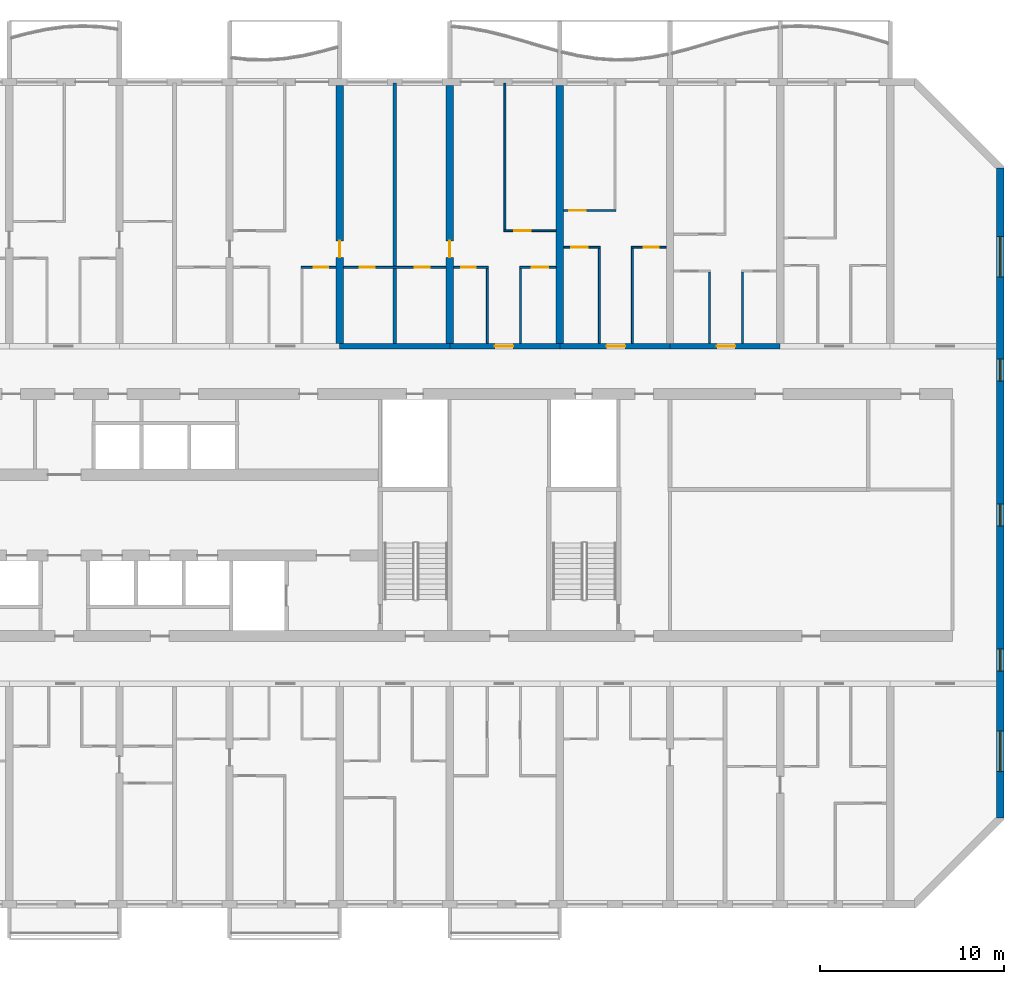
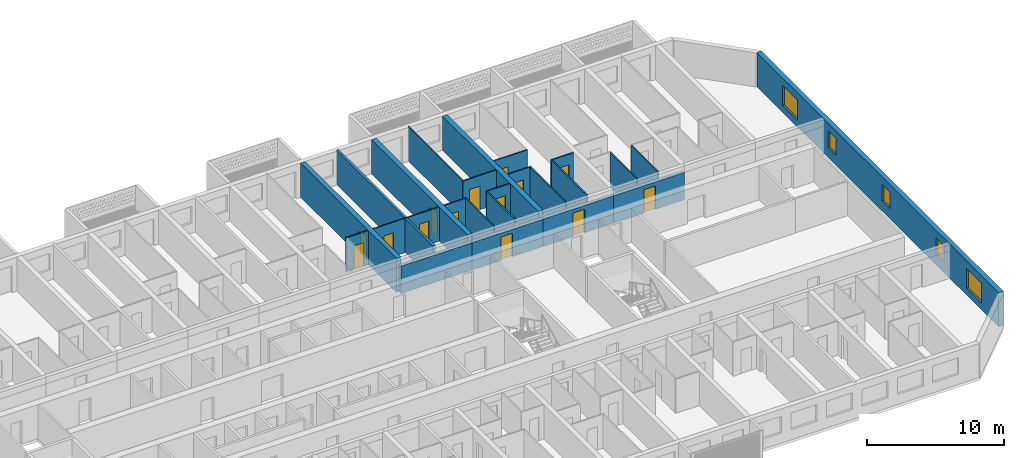
# One storey, part 16 of 40: 24 walls, 14 doors, 5 windows, 19 openings.
"""IFC4 building model written with IfcOpenShell, lengths in metres."""

from ifc_helpers import new_model, si_unit, direction, frame, frame_2d, origin, place, context, subcontext, project, spatial, rectangle, extrude, material, layer, layer_set, type_object, element, fill, save


model = new_model("IFC4")

# Units and contexts
model_context = context("Model", 3, precision=1e-05, world=origin(), true_north=direction((0.0, 1.0)))
body_context = subcontext(model_context, "Body", "Model", "MODEL_VIEW")
ifc_project = project(units=[si_unit("LENGTHUNIT", "METRE"), si_unit("AREAUNIT", "SQUARE_METRE"), si_unit("VOLUMEUNIT", "CUBIC_METRE"), si_unit("PLANEANGLEUNIT", "RADIAN"), si_unit("MASSUNIT", "GRAM", prefix="KILO")], contexts=[model_context])

# Site, building, storey
site_placement = place(None, origin())
site = spatial("IfcSite", under=ifc_project, at=site_placement, CompositionType="ELEMENT")
building_placement = place(site_placement, origin())
building = spatial("IfcBuilding", under=site, at=building_placement, Name="Poui Terraces", CompositionType="ELEMENT")
storey_placement = place(building_placement, frame((0.0, 0.0, 33.300048828125)))
storey = spatial("IfcBuildingStorey", under=building, at=storey_placement, Name="L08", CompositionType="ELEMENT", Elevation=33.300048828125)

# Wall
ifc_material_1 = material(Name="Concrete 80 MPa", Category="concrete")
ifc_layer_1 = layer(ifc_material_1, 0.300048828125)
ifc_layer_set_1 = layer_set([ifc_layer_1], Name="Concrete 80 MPa")
wall_type_1 = type_object("IfcWallType", Name="CORRIDOR WALL 300 80MPa", PredefinedType="SHEAR", material=ifc_layer_set_1)
wall_1_placement = place(storey_placement, frame((66.0, 30.39990234375, 0.0), z_axis=(0.0, 0.0, 1.0), x_axis=(1.0, 0.0, 0.0)))
element("IfcWall", 1, at=wall_1_placement, inside=storey, type_object=wall_type_1, Name="CORRIDOR WALL LINE E BAY 12", PredefinedType="SHEAR", context=body_context, shape_type="SweptSolid", body=[
    extrude(rectangle(XDim=6.0, YDim=0.300048828125, at=frame_2d((3.0, 0.0))), origin(), (0.0, 0.0, 1.0), 2.449951171875),
])

# Wall, opening, door
wall_2_placement = place(storey_placement, frame((72.0, 30.39990234375, 0.0), z_axis=(0.0, 0.0, 1.0), x_axis=(1.0, 0.0, 0.0)))
wall_2 = element("IfcWall", 2, at=wall_2_placement, inside=storey, type_object=wall_type_1, Name="CORRIDOR WALL LINE E BAY 13", PredefinedType="SHEAR", context=body_context, shape_type="SweptSolid", body=[
    extrude(rectangle(XDim=6.0, YDim=0.300048828125, at=frame_2d((3.0, 0.0))), origin(), (0.0, 0.0, 1.0), 2.449951171875),
])
opening_1_placement = place(wall_2_placement, frame((2.449951171875, 0.0, 0.0)))
opening_1 = element("IfcOpeningElement", 3, at=opening_1_placement, cuts=wall_2, Name="Opening FD30S", PredefinedType="OPENING", context=body_context, shape_type="SweptSolid", body=[
    extrude(rectangle(XDim=1.0, YDim=2.10009765625, at=frame_2d((0.5, 1.050048828125))), frame((0.0, 0.16015625, 0.0), z_axis=(0.0, -1.0, 0.0), x_axis=(1.0, 0.0, 0.0)), (0.0, 0.0, 1.0), 0.320068359375),
])
ifc_material_2 = material(Name="Steel fire door", Category="steel")
door_type_1 = type_object("IfcDoorType", Name="FLAT ENTRANCE DOOR 1000 X 2100", OperationType="NOTDEFINED", PredefinedType="DOOR", material=ifc_material_2)
door_1_placement = place(opening_1_placement, origin())
door_1 = element("IfcDoor", 4, at=door_1_placement, inside=storey, type_object=door_type_1, Name="FLAT ENTRANCE DOOR 074", OperationType="SINGLE_SWING_LEFT", OverallHeight=2.10009765625, OverallWidth=1.0, PredefinedType="DOOR", context=body_context, shape_type="SweptSolid", body=[
    extrude(rectangle(XDim=1.0, YDim=2.10009765625, at=frame_2d((0.5, 1.050048828125))), frame((0.0, 0.02490234375, 0.0), z_axis=(0.0, -1.0, 0.0), x_axis=(1.0, 0.0, 0.0)), (0.0, 0.0, 1.0), 0.050048828125),
])
fill(opening_1, door_1)

wall_3_placement = place(storey_placement, frame((78.0, 30.39990234375, 0.0), z_axis=(0.0, 0.0, 1.0), x_axis=(1.0, 0.0, 0.0)))
wall_3 = element("IfcWall", 5, at=wall_3_placement, inside=storey, type_object=wall_type_1, Name="CORRIDOR WALL LINE E BAY 14", PredefinedType="SHEAR", context=body_context, shape_type="SweptSolid", body=[
    extrude(rectangle(XDim=6.0, YDim=0.300048828125, at=frame_2d((3.0, 0.0))), origin(), (0.0, 0.0, 1.0), 2.449951171875),
])
opening_2_placement = place(wall_3_placement, frame((2.550048828125, 0.0, 0.0)))
opening_2 = element("IfcOpeningElement", 6, at=opening_2_placement, cuts=wall_3, Name="Opening FD30S", PredefinedType="OPENING", context=body_context, shape_type="SweptSolid", body=[
    extrude(rectangle(XDim=1.0, YDim=2.10009765625, at=frame_2d((0.5, 1.050048828125))), frame((0.0, 0.16015625, 0.0), z_axis=(0.0, -1.0, 0.0), x_axis=(1.0, 0.0, 0.0)), (0.0, 0.0, 1.0), 0.320068359375),
])
door_2_placement = place(opening_2_placement, origin())
door_2 = element("IfcDoor", 7, at=door_2_placement, inside=storey, type_object=door_type_1, Name="FLAT ENTRANCE DOOR 079", OperationType="SINGLE_SWING_RIGHT", OverallHeight=2.10009765625, OverallWidth=1.0, PredefinedType="DOOR", context=body_context, shape_type="SweptSolid", body=[
    extrude(rectangle(XDim=1.0, YDim=2.10009765625, at=frame_2d((0.5, 1.050048828125))), frame((0.0, 0.02490234375, 0.0), z_axis=(0.0, -1.0, 0.0), x_axis=(1.0, 0.0, 0.0)), (0.0, 0.0, 1.0), 0.050048828125),
])
fill(opening_2, door_2)

wall_4_placement = place(storey_placement, frame((84.0, 30.39990234375, 0.0), z_axis=(0.0, 0.0, 1.0), x_axis=(1.0, 0.0, 0.0)))
wall_4 = element("IfcWall", 8, at=wall_4_placement, inside=storey, type_object=wall_type_1, Name="CORRIDOR WALL LINE E BAY 15", PredefinedType="SHEAR", context=body_context, shape_type="SweptSolid", body=[
    extrude(rectangle(XDim=6.0, YDim=0.300048828125, at=frame_2d((3.0, 0.0))), origin(), (0.0, 0.0, 1.0), 2.449951171875),
])
opening_3_placement = place(wall_4_placement, frame((2.550048828125, 0.0, 0.0)))
opening_3 = element("IfcOpeningElement", 9, at=opening_3_placement, cuts=wall_4, Name="Opening FD30S", PredefinedType="OPENING", context=body_context, shape_type="SweptSolid", body=[
    extrude(rectangle(XDim=1.0, YDim=2.10009765625, at=frame_2d((0.5, 1.050048828125))), frame((0.0, 0.16015625, 0.0), z_axis=(0.0, -1.0, 0.0), x_axis=(1.0, 0.0, 0.0)), (0.0, 0.0, 1.0), 0.320068359375),
])
door_3_placement = place(opening_3_placement, origin())
door_3 = element("IfcDoor", 10, at=door_3_placement, inside=storey, type_object=door_type_1, Name="FLAT ENTRANCE DOOR 083", OperationType="SINGLE_SWING_RIGHT", OverallHeight=2.10009765625, OverallWidth=1.0, PredefinedType="DOOR", context=body_context, shape_type="SweptSolid", body=[
    extrude(rectangle(XDim=1.0, YDim=2.10009765625, at=frame_2d((0.5, 1.050048828125))), frame((0.0, 0.02490234375, 0.0), z_axis=(0.0, -1.0, 0.0), x_axis=(1.0, 0.0, 0.0)), (0.0, 0.0, 1.0), 0.050048828125),
])
fill(opening_3, door_3)

ifc_layer_2 = layer(ifc_material_1, 0.39990234375)
ifc_layer_set_2 = layer_set([ifc_layer_2], Name="Concrete 80 MPa")
wall_type_2 = type_object("IfcWallType", Name="CROSS WALL 400 80MPa", PredefinedType="SHEAR", material=ifc_layer_set_2)
wall_5_placement = place(storey_placement, frame((66.0, 30.550048828125, 0.0), z_axis=(0.0, 0.0, 1.0), x_axis=(0.0, 1.0, 0.0)))
wall_5 = element("IfcWall", 11, at=wall_5_placement, inside=storey, type_object=wall_type_2, Name="CROSS WALL LINE 12 NORTH", PredefinedType="SHEAR", context=body_context, shape_type="SweptSolid", body=[
    extrude(rectangle(XDim=14.050048828125, YDim=0.39990234375, at=frame_2d((7.02490234375, 0.0))), origin(), (0.0, 0.0, 1.0), 3.050048828125),
])
opening_4_placement = place(wall_5_placement, frame((4.699951171875, 0.0, 0.0)))
opening_4 = element("IfcOpeningElement", 12, at=opening_4_placement, cuts=wall_5, Name="Opening D90", PredefinedType="OPENING", context=body_context, shape_type="SweptSolid", body=[
    extrude(rectangle(XDim=0.89990234375, YDim=2.10009765625, at=frame_2d((0.449951171875, 1.050048828125))), frame((0.0, 0.2099609375, 0.0), z_axis=(0.0, -1.0, 0.0), x_axis=(1.0, 0.0, 0.0)), (0.0, 0.0, 1.0), 0.419921875),
])
ifc_material_3 = material(Name="Solid core timber door", Category="wood")
door_type_2 = type_object("IfcDoorType", Name="INTERNAL DOOR 900 X 2100", OperationType="NOTDEFINED", PredefinedType="DOOR", material=ifc_material_3)
door_4_placement = place(opening_4_placement, frame((0.89990234375, 0.0, 0.0), z_axis=(0.0, 0.0, 1.0), x_axis=(-1.0, 0.0, 0.0)))
door_4 = element("IfcDoor", 13, at=door_4_placement, inside=storey, type_object=door_type_2, Name="INTERNAL DOOR 070", OperationType="SINGLE_SWING_RIGHT", OverallHeight=2.10009765625, OverallWidth=0.89990234375, PredefinedType="DOOR", context=body_context, shape_type="SweptSolid", body=[
    extrude(rectangle(XDim=0.89990234375, YDim=2.10009765625, at=frame_2d((0.449951171875, 1.050048828125))), frame((0.0, 0.02490234375, 0.0), z_axis=(0.0, -1.0, 0.0), x_axis=(1.0, 0.0, 0.0)), (0.0, 0.0, 1.0), 0.050048828125),
])
fill(opening_4, door_4)

wall_6_placement = place(storey_placement, frame((72.0, 30.550048828125, 0.0), z_axis=(0.0, 0.0, 1.0), x_axis=(0.0, 1.0, 0.0)))
wall_6 = element("IfcWall", 14, at=wall_6_placement, inside=storey, type_object=wall_type_2, Name="CROSS WALL LINE 13 NORTH", PredefinedType="SHEAR", context=body_context, shape_type="SweptSolid", body=[
    extrude(rectangle(XDim=14.050048828125, YDim=0.39990234375, at=frame_2d((7.02490234375, 0.0))), origin(), (0.0, 0.0, 1.0), 3.050048828125),
])
opening_5_placement = place(wall_6_placement, frame((4.699951171875, 0.0, 0.0)))
opening_5 = element("IfcOpeningElement", 15, at=opening_5_placement, cuts=wall_6, Name="Opening D90", PredefinedType="OPENING", context=body_context, shape_type="SweptSolid", body=[
    extrude(rectangle(XDim=0.89990234375, YDim=2.10009765625, at=frame_2d((0.449951171875, 1.050048828125))), frame((0.0, 0.2099609375, 0.0), z_axis=(0.0, -1.0, 0.0), x_axis=(1.0, 0.0, 0.0)), (0.0, 0.0, 1.0), 0.419921875),
])
door_5_placement = place(opening_5_placement, origin())
door_5 = element("IfcDoor", 16, at=door_5_placement, inside=storey, type_object=door_type_2, Name="INTERNAL DOOR 072", OperationType="SINGLE_SWING_LEFT", OverallHeight=2.10009765625, OverallWidth=0.89990234375, PredefinedType="DOOR", context=body_context, shape_type="SweptSolid", body=[
    extrude(rectangle(XDim=0.89990234375, YDim=2.10009765625, at=frame_2d((0.449951171875, 1.050048828125))), frame((0.0, 0.02490234375, 0.0), z_axis=(0.0, -1.0, 0.0), x_axis=(1.0, 0.0, 0.0)), (0.0, 0.0, 1.0), 0.050048828125),
])
fill(opening_5, door_5)

# Wall
wall_7_placement = place(storey_placement, frame((78.0, 30.550048828125, 0.0), z_axis=(0.0, 0.0, 1.0), x_axis=(0.0, 1.0, 0.0)))
element("IfcWall", 17, at=wall_7_placement, inside=storey, type_object=wall_type_2, Name="CROSS WALL LINE 14 NORTH", PredefinedType="SHEAR", context=body_context, shape_type="SweptSolid", body=[
    extrude(rectangle(XDim=14.050048828125, YDim=0.39990234375, at=frame_2d((7.02490234375, 0.0))), origin(), (0.0, 0.0, 1.0), 3.050048828125),
])

# Wall, openings, windows
ifc_layer_3 = layer(ifc_material_1, 0.39990234375)
ifc_layer_set_3 = layer_set([ifc_layer_3], Name="Concrete 80 MPa")
wall_type_3 = type_object("IfcWallType", Name="END WALL 400 80MPa", PredefinedType="SHEAR", material=ifc_layer_set_3)
wall_8_placement = place(storey_placement, frame((102.0, 4.682861328125, 0.0), z_axis=(0.0, 0.0, 1.0), x_axis=(0.0, 1.0, 0.0)))
wall_8 = element("IfcWall", 18, at=wall_8_placement, inside=storey, type_object=wall_type_3, Name="END WALL EAST", PredefinedType="SHEAR", context=body_context, shape_type="SweptSolid", body=[
    extrude(rectangle(XDim=35.434326171875, YDim=0.39990234375, at=frame_2d((17.71728515625, 0.0))), origin(), (0.0, 0.0, 1.0), 3.050048828125),
])
opening_6_placement = place(wall_8_placement, frame((15.917236328125, 0.0, 0.89990234375)))
opening_6 = element("IfcOpeningElement", 19, at=opening_6_placement, cuts=wall_8, Name="Opening W2", PredefinedType="OPENING", context=body_context, shape_type="SweptSolid", body=[
    extrude(rectangle(XDim=1.199951171875, YDim=1.5, at=frame_2d((0.60009765625, 0.75))), frame((0.0, 0.2099609375, 0.0), z_axis=(0.0, -1.0, 0.0), x_axis=(1.0, 0.0, 0.0)), (0.0, 0.0, 1.0), 0.419921875),
])
opening_7_placement = place(wall_8_placement, frame((23.817138671875, 0.0, 0.89990234375)))
opening_7 = element("IfcOpeningElement", 20, at=opening_7_placement, cuts=wall_8, Name="Opening W2", PredefinedType="OPENING", context=body_context, shape_type="SweptSolid", body=[
    extrude(rectangle(XDim=1.199951171875, YDim=1.5, at=frame_2d((0.60009765625, 0.75))), frame((0.0, 0.2099609375, 0.0), z_axis=(0.0, -1.0, 0.0), x_axis=(1.0, 0.0, 0.0)), (0.0, 0.0, 1.0), 0.419921875),
])
opening_8_placement = place(wall_8_placement, frame((8.01708984375, 0.0, 0.89990234375)))
opening_8 = element("IfcOpeningElement", 21, at=opening_8_placement, cuts=wall_8, Name="Opening W2", PredefinedType="OPENING", context=body_context, shape_type="SweptSolid", body=[
    extrude(rectangle(XDim=1.199951171875, YDim=1.5, at=frame_2d((0.60009765625, 0.75))), frame((0.0, 0.2099609375, 0.0), z_axis=(0.0, -1.0, 0.0), x_axis=(1.0, 0.0, 0.0)), (0.0, 0.0, 1.0), 0.419921875),
])
opening_9_placement = place(wall_8_placement, frame((29.493408203125, 0.0, 0.60009765625)))
opening_9 = element("IfcOpeningElement", 22, at=opening_9_placement, cuts=wall_8, Name="Opening W3", PredefinedType="OPENING", context=body_context, shape_type="SweptSolid", body=[
    extrude(rectangle(XDim=2.199951171875, YDim=1.800048828125, at=frame_2d((1.10009765625, 0.89990234375))), frame((0.0, 0.2099609375, 0.0), z_axis=(0.0, -1.0, 0.0), x_axis=(1.0, 0.0, 0.0)), (0.0, 0.0, 1.0), 0.419921875),
])
opening_10_placement = place(wall_8_placement, frame((2.541015625, 0.0, 0.60009765625)))
opening_10 = element("IfcOpeningElement", 23, at=opening_10_placement, cuts=wall_8, Name="Opening W3", PredefinedType="OPENING", context=body_context, shape_type="SweptSolid", body=[
    extrude(rectangle(XDim=2.199951171875, YDim=1.800048828125, at=frame_2d((1.10009765625, 0.89990234375))), frame((0.0, 0.2099609375, 0.0), z_axis=(0.0, -1.0, 0.0), x_axis=(1.0, 0.0, 0.0)), (0.0, 0.0, 1.0), 0.419921875),
])
ifc_material_4 = material(Name="Clear glass in aluminium frame", Category="aluminium")
window_type_1 = type_object("IfcWindowType", Name="WINDOW 1200X1500", PartitioningType="SINGLE_PANEL", PredefinedType="WINDOW", material=ifc_material_4)
window_1_placement = place(opening_6_placement, origin())
window_1 = element("IfcWindow", 24, at=window_1_placement, inside=storey, type_object=window_type_1, Name="W2 WINDOW", OverallHeight=1.5, OverallWidth=1.199951171875, PartitioningType="SINGLE_PANEL", PredefinedType="WINDOW", context=body_context, shape_type="SweptSolid", body=[
    extrude(rectangle(XDim=1.199951171875, YDim=1.5, at=frame_2d((0.60009765625, 0.75))), frame((0.0, 0.030029296875, 0.0), z_axis=(0.0, -1.0, 0.0), x_axis=(1.0, 0.0, 0.0)), (0.0, 0.0, 1.0), 0.06005859375),
])
fill(opening_6, window_1)
window_2_placement = place(opening_7_placement, origin())
window_2 = element("IfcWindow", 25, at=window_2_placement, inside=storey, type_object=window_type_1, Name="W2 WINDOW", OverallHeight=1.5, OverallWidth=1.199951171875, PartitioningType="SINGLE_PANEL", PredefinedType="WINDOW", context=body_context, shape_type="SweptSolid", body=[
    extrude(rectangle(XDim=1.199951171875, YDim=1.5, at=frame_2d((0.60009765625, 0.75))), frame((0.0, 0.030029296875, 0.0), z_axis=(0.0, -1.0, 0.0), x_axis=(1.0, 0.0, 0.0)), (0.0, 0.0, 1.0), 0.06005859375),
])
fill(opening_7, window_2)
window_3_placement = place(opening_8_placement, origin())
window_3 = element("IfcWindow", 26, at=window_3_placement, inside=storey, type_object=window_type_1, Name="W2 WINDOW", OverallHeight=1.5, OverallWidth=1.199951171875, PartitioningType="SINGLE_PANEL", PredefinedType="WINDOW", context=body_context, shape_type="SweptSolid", body=[
    extrude(rectangle(XDim=1.199951171875, YDim=1.5, at=frame_2d((0.60009765625, 0.75))), frame((0.0, 0.030029296875, 0.0), z_axis=(0.0, -1.0, 0.0), x_axis=(1.0, 0.0, 0.0)), (0.0, 0.0, 1.0), 0.06005859375),
])
fill(opening_8, window_3)
window_type_2 = type_object("IfcWindowType", Name="WINDOW 2200X1800", PartitioningType="DOUBLE_PANEL_HORIZONTAL", PredefinedType="WINDOW", material=ifc_material_4)
window_4_placement = place(opening_9_placement, origin())
window_4 = element("IfcWindow", 27, at=window_4_placement, inside=storey, type_object=window_type_2, Name="W3 WINDOW", OverallHeight=1.800048828125, OverallWidth=2.199951171875, PartitioningType="DOUBLE_PANEL_HORIZONTAL", PredefinedType="WINDOW", context=body_context, shape_type="SweptSolid", body=[
    extrude(rectangle(XDim=2.199951171875, YDim=1.800048828125, at=frame_2d((1.10009765625, 0.89990234375))), frame((0.0, 0.030029296875, 0.0), z_axis=(0.0, -1.0, 0.0), x_axis=(1.0, 0.0, 0.0)), (0.0, 0.0, 1.0), 0.06005859375),
])
fill(opening_9, window_4)
window_5_placement = place(opening_10_placement, origin())
window_5 = element("IfcWindow", 28, at=window_5_placement, inside=storey, type_object=window_type_2, Name="W3 WINDOW", OverallHeight=1.800048828125, OverallWidth=2.199951171875, PartitioningType="DOUBLE_PANEL_HORIZONTAL", PredefinedType="WINDOW", context=body_context, shape_type="SweptSolid", body=[
    extrude(rectangle(XDim=2.199951171875, YDim=1.800048828125, at=frame_2d((1.10009765625, 0.89990234375))), frame((0.0, 0.030029296875, 0.0), z_axis=(0.0, -1.0, 0.0), x_axis=(1.0, 0.0, 0.0)), (0.0, 0.0, 1.0), 0.06005859375),
])
fill(opening_10, window_5)

# Wall, opening, door
ifc_material_5 = material(Name="Plasterboard partition")
ifc_layer_4 = layer(ifc_material_5, 0.10009765625)
ifc_layer_set_4 = layer_set([ifc_layer_4], Name="Plasterboard partition")
wall_type_4 = type_object("IfcWallType", Name="FLAT PARTITION 100", PredefinedType="PARTITIONING", material=ifc_layer_set_4)
wall_9_placement = place(storey_placement, frame((63.89990234375, 34.699951171875, 0.0), z_axis=(0.0, 0.0, 1.0), x_axis=(1.0, 0.0, 0.0)))
wall_9 = element("IfcWall", 29, at=wall_9_placement, inside=storey, type_object=wall_type_4, Name="FLAT PARTITION 100", PredefinedType="PARTITIONING", context=body_context, shape_type="SweptSolid", body=[
    extrude(rectangle(XDim=1.89013671875, YDim=0.10009765625, at=frame_2d((0.945068359375, 0.0))), origin(), (0.0, 0.0, 1.0), 3.050048828125),
])
opening_11_placement = place(wall_9_placement, frame((0.675048828125, 0.0, 0.0)))
opening_11 = element("IfcOpeningElement", 30, at=opening_11_placement, cuts=wall_9, Name="Opening D80", PredefinedType="OPENING", context=body_context, shape_type="SweptSolid", body=[
    extrude(rectangle(XDim=0.800048828125, YDim=2.10009765625, at=frame_2d((0.39990234375, 1.050048828125))), frame((0.0, 0.06005859375, 0.0), z_axis=(0.0, -1.0, 0.0), x_axis=(1.0, 0.0, 0.0)), (0.0, 0.0, 1.0), 0.1201171875),
])
door_type_3 = type_object("IfcDoorType", Name="BATHROOM, LAUNDRY AND STORE DOOR 800 X 2100", OperationType="NOTDEFINED", PredefinedType="DOOR", material=ifc_material_3)
door_6_placement = place(opening_11_placement, frame((0.800048828125, 0.0, 0.0), z_axis=(0.0, 0.0, 1.0), x_axis=(-1.0, 0.0, 0.0)))
door_6 = element("IfcDoor", 31, at=door_6_placement, inside=storey, type_object=door_type_3, Name="BATHROOM, LAUNDRY AND STORE DOOR 069", OperationType="SINGLE_SWING_LEFT", OverallHeight=2.10009765625, OverallWidth=0.800048828125, PredefinedType="DOOR", context=body_context, shape_type="SweptSolid", body=[
    extrude(rectangle(XDim=0.800048828125, YDim=2.10009765625, at=frame_2d((0.39990234375, 1.050048828125))), frame((0.0, 0.02490234375, 0.0), z_axis=(0.0, -1.0, 0.0), x_axis=(1.0, 0.0, 0.0)), (0.0, 0.0, 1.0), 0.050048828125),
])
fill(opening_11, door_6)

# Wall, openings, doors
wall_10_placement = place(storey_placement, frame((66.2099609375, 34.699951171875, 0.0), z_axis=(0.0, 0.0, 1.0), x_axis=(1.0, 0.0, 0.0)))
wall_10 = element("IfcWall", 32, at=wall_10_placement, inside=storey, type_object=wall_type_4, Name="FLAT PARTITION 100", PredefinedType="PARTITIONING", context=body_context, shape_type="SweptSolid", body=[
    extrude(rectangle(XDim=5.580078125, YDim=0.10009765625, at=frame_2d((2.7900390625, 0.0))), origin(), (0.0, 0.0, 1.0), 3.050048828125),
])
opening_12_placement = place(wall_10_placement, frame((0.889892578125, 0.0, 0.0)))
opening_12 = element("IfcOpeningElement", 33, at=opening_12_placement, cuts=wall_10, Name="Opening D80", PredefinedType="OPENING", context=body_context, shape_type="SweptSolid", body=[
    extrude(rectangle(XDim=0.800048828125, YDim=2.10009765625, at=frame_2d((0.39990234375, 1.050048828125))), frame((0.0, 0.06005859375, 0.0), z_axis=(0.0, -1.0, 0.0), x_axis=(1.0, 0.0, 0.0)), (0.0, 0.0, 1.0), 0.1201171875),
])
opening_13_placement = place(wall_10_placement, frame((3.889892578125, 0.0, 0.0)))
opening_13 = element("IfcOpeningElement", 34, at=opening_13_placement, cuts=wall_10, Name="Opening D80", PredefinedType="OPENING", context=body_context, shape_type="SweptSolid", body=[
    extrude(rectangle(XDim=0.800048828125, YDim=2.10009765625, at=frame_2d((0.39990234375, 1.050048828125))), frame((0.0, 0.06005859375, 0.0), z_axis=(0.0, -1.0, 0.0), x_axis=(1.0, 0.0, 0.0)), (0.0, 0.0, 1.0), 0.1201171875),
])
door_7_placement = place(opening_12_placement, frame((0.800048828125, 0.0, 0.0), z_axis=(0.0, 0.0, 1.0), x_axis=(-1.0, 0.0, 0.0)))
door_7 = element("IfcDoor", 35, at=door_7_placement, inside=storey, type_object=door_type_3, Name="BATHROOM, LAUNDRY AND STORE DOOR 064", OperationType="SINGLE_SWING_RIGHT", OverallHeight=2.10009765625, OverallWidth=0.800048828125, PredefinedType="DOOR", context=body_context, shape_type="SweptSolid", body=[
    extrude(rectangle(XDim=0.800048828125, YDim=2.10009765625, at=frame_2d((0.39990234375, 1.050048828125))), frame((0.0, 0.02490234375, 0.0), z_axis=(0.0, -1.0, 0.0), x_axis=(1.0, 0.0, 0.0)), (0.0, 0.0, 1.0), 0.050048828125),
])
fill(opening_12, door_7)
door_8_placement = place(opening_13_placement, frame((0.800048828125, 0.0, 0.0), z_axis=(0.0, 0.0, 1.0), x_axis=(-1.0, 0.0, 0.0)))
door_8 = element("IfcDoor", 36, at=door_8_placement, inside=storey, type_object=door_type_3, Name="BATHROOM, LAUNDRY AND STORE DOOR 071", OperationType="SINGLE_SWING_LEFT", OverallHeight=2.10009765625, OverallWidth=0.800048828125, PredefinedType="DOOR", context=body_context, shape_type="SweptSolid", body=[
    extrude(rectangle(XDim=0.800048828125, YDim=2.10009765625, at=frame_2d((0.39990234375, 1.050048828125))), frame((0.0, 0.02490234375, 0.0), z_axis=(0.0, -1.0, 0.0), x_axis=(1.0, 0.0, 0.0)), (0.0, 0.0, 1.0), 0.050048828125),
])
fill(opening_13, door_8)

# Wall, opening, door
wall_11_placement = place(storey_placement, frame((72.2099609375, 34.699951171875, 0.0), z_axis=(0.0, 0.0, 1.0), x_axis=(1.0, 0.0, 0.0)))
wall_11 = element("IfcWall", 37, at=wall_11_placement, inside=storey, type_object=wall_type_4, Name="FLAT PARTITION 100", PredefinedType="PARTITIONING", context=body_context, shape_type="SweptSolid", body=[
    extrude(rectangle(XDim=1.89013671875, YDim=0.10009765625, at=frame_2d((0.945068359375, 0.0))), origin(), (0.0, 0.0, 1.0), 3.050048828125),
])
opening_14_placement = place(wall_11_placement, frame((0.4150390625, 0.0, 0.0)))
opening_14 = element("IfcOpeningElement", 38, at=opening_14_placement, cuts=wall_11, Name="Opening D80", PredefinedType="OPENING", context=body_context, shape_type="SweptSolid", body=[
    extrude(rectangle(XDim=0.800048828125, YDim=2.10009765625, at=frame_2d((0.39990234375, 1.050048828125))), frame((0.0, 0.06005859375, 0.0), z_axis=(0.0, -1.0, 0.0), x_axis=(1.0, 0.0, 0.0)), (0.0, 0.0, 1.0), 0.1201171875),
])
door_9_placement = place(opening_14_placement, frame((0.800048828125, 0.0, 0.0), z_axis=(0.0, 0.0, 1.0), x_axis=(-1.0, 0.0, 0.0)))
door_9 = element("IfcDoor", 39, at=door_9_placement, inside=storey, type_object=door_type_3, Name="BATHROOM, LAUNDRY AND STORE DOOR 073", OperationType="SINGLE_SWING_LEFT", OverallHeight=2.10009765625, OverallWidth=0.800048828125, PredefinedType="DOOR", context=body_context, shape_type="SweptSolid", body=[
    extrude(rectangle(XDim=0.800048828125, YDim=2.10009765625, at=frame_2d((0.39990234375, 1.050048828125))), frame((0.0, 0.02490234375, 0.0), z_axis=(0.0, -1.0, 0.0), x_axis=(1.0, 0.0, 0.0)), (0.0, 0.0, 1.0), 0.050048828125),
])
fill(opening_14, door_9)

wall_12_placement = place(storey_placement, frame((75.800048828125, 34.699951171875, 0.0), z_axis=(0.0, 0.0, 1.0), x_axis=(1.0, 0.0, 0.0)))
wall_12 = element("IfcWall", 40, at=wall_12_placement, inside=storey, type_object=wall_type_4, Name="FLAT PARTITION 100", PredefinedType="PARTITIONING", context=body_context, shape_type="SweptSolid", body=[
    extrude(rectangle(XDim=1.989990234375, YDim=0.10009765625, at=frame_2d((0.9951171875, 0.0))), origin(), (0.0, 0.0, 1.0), 3.050048828125),
])
opening_15_placement = place(wall_12_placement, frame((0.675048828125, 0.0, 0.0)))
opening_15 = element("IfcOpeningElement", 41, at=opening_15_placement, cuts=wall_12, Name="Opening D90", PredefinedType="OPENING", context=body_context, shape_type="SweptSolid", body=[
    extrude(rectangle(XDim=0.89990234375, YDim=2.10009765625, at=frame_2d((0.449951171875, 1.050048828125))), frame((0.0, 0.06005859375, 0.0), z_axis=(0.0, -1.0, 0.0), x_axis=(1.0, 0.0, 0.0)), (0.0, 0.0, 1.0), 0.1201171875),
])
door_10_placement = place(opening_15_placement, frame((0.89990234375, 0.0, 0.0), z_axis=(0.0, 0.0, 1.0), x_axis=(-1.0, 0.0, 0.0)))
door_10 = element("IfcDoor", 42, at=door_10_placement, inside=storey, type_object=door_type_2, Name="INTERNAL DOOR 076", OperationType="SINGLE_SWING_RIGHT", OverallHeight=2.10009765625, OverallWidth=0.89990234375, PredefinedType="DOOR", context=body_context, shape_type="SweptSolid", body=[
    extrude(rectangle(XDim=0.89990234375, YDim=2.10009765625, at=frame_2d((0.449951171875, 1.050048828125))), frame((0.0, 0.02490234375, 0.0), z_axis=(0.0, -1.0, 0.0), x_axis=(1.0, 0.0, 0.0)), (0.0, 0.0, 1.0), 0.050048828125),
])
fill(opening_15, door_10)

wall_13_placement = place(storey_placement, frame((78.2099609375, 35.800048828125, 0.0), z_axis=(0.0, 0.0, 1.0), x_axis=(1.0, 0.0, 0.0)))
wall_13 = element("IfcWall", 43, at=wall_13_placement, inside=storey, type_object=wall_type_4, Name="FLAT PARTITION 100", PredefinedType="PARTITIONING", context=body_context, shape_type="SweptSolid", body=[
    extrude(rectangle(XDim=1.989990234375, YDim=0.10009765625, at=frame_2d((0.9951171875, 0.0))), origin(), (0.0, 0.0, 1.0), 3.050048828125),
])
opening_16_placement = place(wall_13_placement, frame((0.4150390625, 0.0, 0.0)))
opening_16 = element("IfcOpeningElement", 44, at=opening_16_placement, cuts=wall_13, Name="Opening D90", PredefinedType="OPENING", context=body_context, shape_type="SweptSolid", body=[
    extrude(rectangle(XDim=0.89990234375, YDim=2.10009765625, at=frame_2d((0.449951171875, 1.050048828125))), frame((0.0, 0.06005859375, 0.0), z_axis=(0.0, -1.0, 0.0), x_axis=(1.0, 0.0, 0.0)), (0.0, 0.0, 1.0), 0.1201171875),
])
door_11_placement = place(opening_16_placement, frame((0.89990234375, 0.0, 0.0), z_axis=(0.0, 0.0, 1.0), x_axis=(-1.0, 0.0, 0.0)))
door_11 = element("IfcDoor", 45, at=door_11_placement, inside=storey, type_object=door_type_2, Name="INTERNAL DOOR 078", OperationType="SINGLE_SWING_RIGHT", OverallHeight=2.10009765625, OverallWidth=0.89990234375, PredefinedType="DOOR", context=body_context, shape_type="SweptSolid", body=[
    extrude(rectangle(XDim=0.89990234375, YDim=2.10009765625, at=frame_2d((0.449951171875, 1.050048828125))), frame((0.0, 0.02490234375, 0.0), z_axis=(0.0, -1.0, 0.0), x_axis=(1.0, 0.0, 0.0)), (0.0, 0.0, 1.0), 0.050048828125),
])
fill(opening_16, door_11)

wall_14_placement = place(storey_placement, frame((81.89990234375, 35.800048828125, 0.0), z_axis=(0.0, 0.0, 1.0), x_axis=(1.0, 0.0, 0.0)))
wall_14 = element("IfcWall", 46, at=wall_14_placement, inside=storey, type_object=wall_type_4, Name="FLAT PARTITION 100", PredefinedType="PARTITIONING", context=body_context, shape_type="SweptSolid", body=[
    extrude(rectangle(XDim=1.89013671875, YDim=0.10009765625, at=frame_2d((0.945068359375, 0.0))), origin(), (0.0, 0.0, 1.0), 3.050048828125),
])
opening_17_placement = place(wall_14_placement, frame((0.675048828125, 0.0, 0.0)))
opening_17 = element("IfcOpeningElement", 47, at=opening_17_placement, cuts=wall_14, Name="Opening D80", PredefinedType="OPENING", context=body_context, shape_type="SweptSolid", body=[
    extrude(rectangle(XDim=0.800048828125, YDim=2.10009765625, at=frame_2d((0.39990234375, 1.050048828125))), frame((0.0, 0.06005859375, 0.0), z_axis=(0.0, -1.0, 0.0), x_axis=(1.0, 0.0, 0.0)), (0.0, 0.0, 1.0), 0.1201171875),
])
door_12_placement = place(opening_17_placement, frame((0.800048828125, 0.0, 0.0), z_axis=(0.0, 0.0, 1.0), x_axis=(-1.0, 0.0, 0.0)))
door_12 = element("IfcDoor", 48, at=door_12_placement, inside=storey, type_object=door_type_3, Name="BATHROOM, LAUNDRY AND STORE DOOR 080", OperationType="SINGLE_SWING_LEFT", OverallHeight=2.10009765625, OverallWidth=0.800048828125, PredefinedType="DOOR", context=body_context, shape_type="SweptSolid", body=[
    extrude(rectangle(XDim=0.800048828125, YDim=2.10009765625, at=frame_2d((0.39990234375, 1.050048828125))), frame((0.0, 0.02490234375, 0.0), z_axis=(0.0, -1.0, 0.0), x_axis=(1.0, 0.0, 0.0)), (0.0, 0.0, 1.0), 0.050048828125),
])
fill(opening_17, door_12)

wall_15_placement = place(storey_placement, frame((74.949951171875, 36.699951171875, 0.0), z_axis=(0.0, 0.0, 1.0), x_axis=(1.0, 0.0, 0.0)))
wall_15 = element("IfcWall", 49, at=wall_15_placement, inside=storey, type_object=wall_type_4, Name="FLAT PARTITION 100", PredefinedType="PARTITIONING", context=body_context, shape_type="SweptSolid", body=[
    extrude(rectangle(XDim=2.840087890625, YDim=0.10009765625, at=frame_2d((1.419921875, 0.0))), origin(), (0.0, 0.0, 1.0), 3.050048828125),
])
opening_18_placement = place(wall_15_placement, frame((0.550048828125, 0.0, 0.0)))
opening_18 = element("IfcOpeningElement", 50, at=opening_18_placement, cuts=wall_15, Name="Opening D90", PredefinedType="OPENING", context=body_context, shape_type="SweptSolid", body=[
    extrude(rectangle(XDim=0.89990234375, YDim=2.10009765625, at=frame_2d((0.449951171875, 1.050048828125))), frame((0.0, 0.06005859375, 0.0), z_axis=(0.0, -1.0, 0.0), x_axis=(1.0, 0.0, 0.0)), (0.0, 0.0, 1.0), 0.1201171875),
])
door_13_placement = place(opening_18_placement, frame((0.89990234375, 0.0, 0.0), z_axis=(0.0, 0.0, 1.0), x_axis=(-1.0, 0.0, 0.0)))
door_13 = element("IfcDoor", 51, at=door_13_placement, inside=storey, type_object=door_type_2, Name="INTERNAL DOOR 075", OperationType="SINGLE_SWING_LEFT", OverallHeight=2.10009765625, OverallWidth=0.89990234375, PredefinedType="DOOR", context=body_context, shape_type="SweptSolid", body=[
    extrude(rectangle(XDim=0.89990234375, YDim=2.10009765625, at=frame_2d((0.449951171875, 1.050048828125))), frame((0.0, 0.02490234375, 0.0), z_axis=(0.0, -1.0, 0.0), x_axis=(1.0, 0.0, 0.0)), (0.0, 0.0, 1.0), 0.050048828125),
])
fill(opening_18, door_13)

wall_16_placement = place(storey_placement, frame((78.2099609375, 37.800048828125, 0.0), z_axis=(0.0, 0.0, 1.0), x_axis=(1.0, 0.0, 0.0)))
wall_16 = element("IfcWall", 52, at=wall_16_placement, inside=storey, type_object=wall_type_4, Name="FLAT PARTITION 100", PredefinedType="PARTITIONING", context=body_context, shape_type="SweptSolid", body=[
    extrude(rectangle(XDim=2.840087890625, YDim=0.10009765625, at=frame_2d((1.419921875, 0.0))), origin(), (0.0, 0.0, 1.0), 3.050048828125),
])
opening_19_placement = place(wall_16_placement, frame((0.2900390625, 0.0, 0.0)))
opening_19 = element("IfcOpeningElement", 53, at=opening_19_placement, cuts=wall_16, Name="Opening D90", PredefinedType="OPENING", context=body_context, shape_type="SweptSolid", body=[
    extrude(rectangle(XDim=0.89990234375, YDim=2.10009765625, at=frame_2d((0.449951171875, 1.050048828125))), frame((0.0, 0.06005859375, 0.0), z_axis=(0.0, -1.0, 0.0), x_axis=(1.0, 0.0, 0.0)), (0.0, 0.0, 1.0), 0.1201171875),
])
door_14_placement = place(opening_19_placement, frame((0.89990234375, 0.0, 0.0), z_axis=(0.0, 0.0, 1.0), x_axis=(-1.0, 0.0, 0.0)))
door_14 = element("IfcDoor", 54, at=door_14_placement, inside=storey, type_object=door_type_2, Name="INTERNAL DOOR 077", OperationType="SINGLE_SWING_LEFT", OverallHeight=2.10009765625, OverallWidth=0.89990234375, PredefinedType="DOOR", context=body_context, shape_type="SweptSolid", body=[
    extrude(rectangle(XDim=0.89990234375, YDim=2.10009765625, at=frame_2d((0.449951171875, 1.050048828125))), frame((0.0, 0.02490234375, 0.0), z_axis=(0.0, -1.0, 0.0), x_axis=(1.0, 0.0, 0.0)), (0.0, 0.0, 1.0), 0.050048828125),
])
fill(opening_19, door_14)

# Walls
wall_17_placement = place(storey_placement, frame((74.050048828125, 30.56005859375, 0.0), z_axis=(0.0, 0.0, 1.0), x_axis=(0.0, 1.0, 0.0)))
element("IfcWall", 55, at=wall_17_placement, inside=storey, type_object=wall_type_4, Name="FLAT PARTITION 100", PredefinedType="PARTITIONING", context=body_context, shape_type="SweptSolid", body=[
    extrude(rectangle(XDim=4.08984375, YDim=0.10009765625, at=frame_2d((2.044921875, 0.0))), origin(), (0.0, 0.0, 1.0), 3.050048828125),
])
wall_18_placement = place(storey_placement, frame((75.0, 36.75, 0.0), z_axis=(0.0, 0.0, 1.0), x_axis=(0.0, 1.0, 0.0)))
element("IfcWall", 56, at=wall_18_placement, inside=storey, type_object=wall_type_4, Name="FLAT PARTITION 100", PredefinedType="PARTITIONING", context=body_context, shape_type="SweptSolid", body=[
    extrude(rectangle(XDim=7.989990234375, YDim=0.10009765625, at=frame_2d((3.9951171875, 0.0))), origin(), (0.0, 0.0, 1.0), 3.050048828125),
])
wall_19_placement = place(storey_placement, frame((75.85009765625, 30.56005859375, 0.0), z_axis=(0.0, 0.0, 1.0), x_axis=(0.0, 1.0, 0.0)))
element("IfcWall", 57, at=wall_19_placement, inside=storey, type_object=wall_type_4, Name="FLAT PARTITION 100", PredefinedType="PARTITIONING", context=body_context, shape_type="SweptSolid", body=[
    extrude(rectangle(XDim=4.08984375, YDim=0.10009765625, at=frame_2d((2.044921875, 0.0))), origin(), (0.0, 0.0, 1.0), 3.050048828125),
])
for number, where, z_axis, x_axis, name in (
    (58, (80.14990234375, 30.56005859375, 0.0), (0.0, 0.0, 1.0), (0.0, 1.0, 0.0), "FLAT PARTITION 100"),
    (59, (81.949951171875, 30.56005859375, 0.0), (0.0, 0.0, 1.0), (0.0, 1.0, 0.0), "FLAT PARTITION 100"),
):
    element("IfcWall", number, at=place(storey_placement, frame(where, z_axis=z_axis, x_axis=x_axis)), inside=storey, type_object=wall_type_4, Name=name, PredefinedType="PARTITIONING", context=body_context, shape_type="SweptSolid", body=[
        extrude(rectangle(XDim=5.18994140625, YDim=0.10009765625, at=frame_2d((2.594970703125, 0.0))), origin(), (0.0, 0.0, 1.0), 3.050048828125),
    ])
for number, where, z_axis, x_axis, name in (
    (60, (86.14990234375, 30.56005859375, 0.0), (0.0, 0.0, 1.0), (0.0, 1.0, 0.0), "FLAT PARTITION 100"),
    (61, (87.949951171875, 30.56005859375, 0.0), (0.0, 0.0, 1.0), (0.0, 1.0, 0.0), "FLAT PARTITION 100"),
):
    element("IfcWall", number, at=place(storey_placement, frame(where, z_axis=z_axis, x_axis=x_axis)), inside=storey, type_object=wall_type_4, Name=name, PredefinedType="PARTITIONING", context=body_context, shape_type="SweptSolid", body=[
        extrude(rectangle(XDim=3.889892578125, YDim=0.10009765625, at=frame_2d((1.94482421875, 0.0))), origin(), (0.0, 0.0, 1.0), 3.050048828125),
    ])
ifc_material_6 = material(Name="Fire-rated masonry wall", Category="masonry")
ifc_layer_5 = layer(ifc_material_6, 0.199951171875)
ifc_layer_set_5 = layer_set([ifc_layer_5], Name="Fire-rated masonry wall")
wall_type_5 = type_object("IfcWallType", Name="FLAT PARTY WALL 200", PredefinedType="PARTITIONING", material=ifc_layer_set_5)
wall_20_placement = place(storey_placement, frame((69.0, 30.56005859375, 0.0), z_axis=(0.0, 0.0, 1.0), x_axis=(0.0, 1.0, 0.0)))
element("IfcWall", 62, at=wall_20_placement, inside=storey, type_object=wall_type_5, Name="FLAT PARTY WALL 200", PredefinedType="PARTITIONING", context=body_context, shape_type="SweptSolid", body=[
    extrude(rectangle(XDim=14.179931640625, YDim=0.199951171875, at=frame_2d((7.08984375, 0.0))), origin(), (0.0, 0.0, 1.0), 3.050048828125),
])

save(model, "model.ifc")
